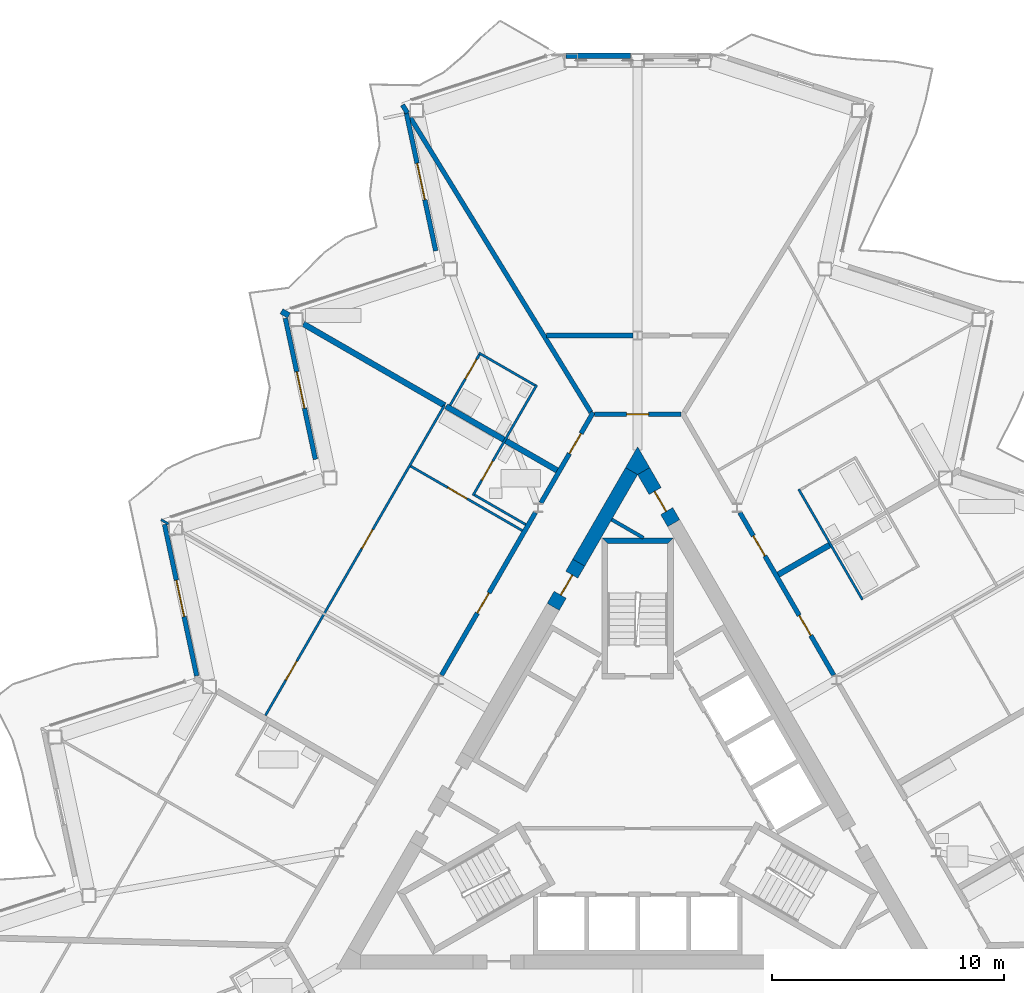
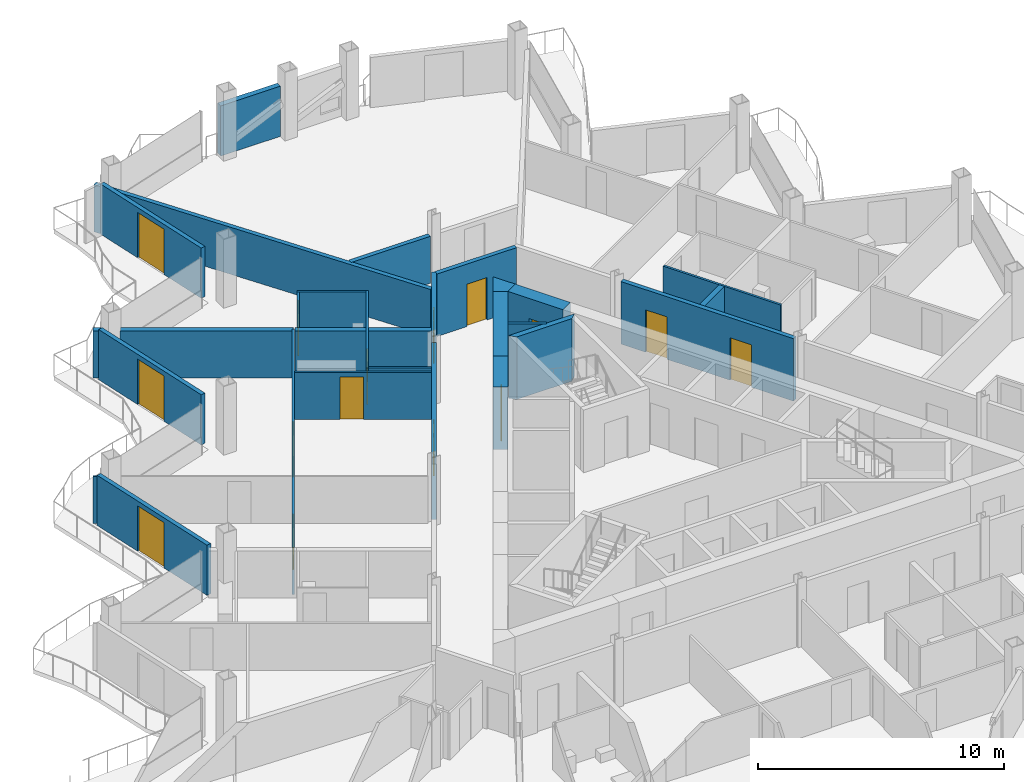
# One storey, part 18 of 28: 29 walls, 15 doors, 15 openings.
"""IFC4 building model written with IfcOpenShell, lengths in metres."""

from ifc_helpers import new_model, si_unit, direction, frame, frame_2d, origin, place, context, subcontext, project, spatial, polyline, rectangle, outline, extrude, material, layer, layer_set, type_object, element, fill, save


model = new_model("IFC4")

# Units and contexts
model_context = context("Model", 3, precision=1e-05, world=origin(), true_north=direction((0.0, 1.0)))
body_context = subcontext(model_context, "Body", "Model", "MODEL_VIEW")
ifc_project = project(units=[si_unit("LENGTHUNIT", "METRE"), si_unit("AREAUNIT", "SQUARE_METRE"), si_unit("VOLUMEUNIT", "CUBIC_METRE"), si_unit("PLANEANGLEUNIT", "RADIAN"), si_unit("MASSUNIT", "GRAM", prefix="KILO")], contexts=[model_context])

# Site, building, storey
site_placement = place(None, origin())
site = spatial("IfcSite", under=ifc_project, at=site_placement, CompositionType="ELEMENT")
building_placement = place(site_placement, origin())
building = spatial("IfcBuilding", under=site, at=building_placement, Name="Cormorant Prow Tower", CompositionType="ELEMENT")
storey_placement = place(building_placement, frame((0.0, 0.0, 301.800048828125)))
storey = spatial("IfcBuildingStorey", under=building, at=storey_placement, Name="L65", CompositionType="ELEMENT", Elevation=301.800048828125)

# Walls
ifc_material_1 = material(Name="Gypsum board partition")
ifc_layer_1 = layer(ifc_material_1, 0.14990234375)
ifc_layer_set_1 = layer_set([ifc_layer_1], Name="Gypsum board partition")
wall_type_1 = type_object("IfcWallType", Name="Core partition 150", PredefinedType="PARTITIONING", material=ifc_layer_set_1)
wall_1_placement = place(storey_placement, frame((-1.119140625, 11.872802734375, 0.0), z_axis=(0.0, 0.0, 1.0), x_axis=(0.865992812752, -0.500056445075, 0.0)))
element("IfcWall", 1, at=wall_1_placement, inside=storey, type_object=wall_type_1, Name="Service room partition", PredefinedType="PARTITIONING", context=body_context, shape_type="SweptSolid", body=[
    extrude(rectangle(XDim=1.581787109375, YDim=0.14990234375, at=frame_2d((0.791015625, 0.0))), origin(), (0.0, 0.0, 1.0), 3.099853515625),
])
ifc_material_2 = material(Name="Concrete 8000 psi", Category="concrete")
ifc_layer_2 = layer(ifc_material_2, 0.60009765625)
ifc_layer_set_2 = layer_set([ifc_layer_2], Name="Concrete 8000 psi")
wall_type_2 = type_object("IfcWallType", Name="Core shear wall 600", PredefinedType="SHEAR", material=ifc_layer_set_2)
wall_2_placement = place(storey_placement, frame((-0.259765625, 13.961181640625, 0.0), z_axis=(0.0, 0.0, 1.0), x_axis=(-0.499980485389, -0.866036670257, 0.0)))
element("IfcWall", 2, at=wall_2_placement, inside=storey, type_object=wall_type_2, Name="Core wall", PredefinedType="SHEAR", context=body_context, shape_type="SweptSolid", body=[
    extrude(rectangle(XDim=4.559326171875, YDim=0.60009765625, at=frame_2d((2.27978515625, 0.0))), origin(), (0.0, 0.0, 1.0), 3.099853515625),
])
wall_3_placement = place(storey_placement, origin())
element("IfcWall", 3, at=wall_3_placement, inside=storey, type_object=wall_type_2, Name="Core wall corner", PredefinedType="SHEAR", context=body_context, shape_type="SweptSolid", body=[
    extrude(outline(polyline([(-0.51953125, 14.111083984375), (0.0, 15.010986328125), (0.51953125, 14.111083984375), (0.0, 13.81103515625), (-0.51953125, 14.111083984375)])), origin(), (0.0, 0.0, 1.0), 3.099853515625),
])

# Wall, opening, door
wall_4_placement = place(storey_placement, frame((-2.539306640625, 10.0126953125, 0.0), z_axis=(0.0, 0.0, 1.0), x_axis=(-0.50002983664, -0.866008176907, 0.0)))
wall_4 = element("IfcWall", 4, at=wall_4_placement, inside=storey, type_object=wall_type_2, Name="Core wall door panel", PredefinedType="SHEAR", context=body_context, shape_type="SweptSolid", body=[
    extrude(rectangle(XDim=2.199951171875, YDim=0.60009765625, at=frame_2d((1.10009765625, 0.0))), origin(), (0.0, 0.0, 1.0), 3.099853515625),
])
opening_1_placement = place(wall_4_placement, frame((0.60009765625, 0.0, 0.0)))
opening_1 = element("IfcOpeningElement", 5, at=opening_1_placement, cuts=wall_4, Name="Opening L65-C19", PredefinedType="OPENING", context=body_context, shape_type="SweptSolid", body=[
    extrude(rectangle(XDim=1.0, YDim=2.10009765625, at=frame_2d((0.5, 1.050048828125))), frame((0.0, 0.31005859375, 0.0), z_axis=(0.0, -1.0, 0.0), x_axis=(1.0, 0.0, 0.0)), (0.0, 0.0, 1.0), 0.6201171875),
])
ifc_material_3 = material(Name="Painted steel", Category="steel")
door_type_1 = type_object("IfcDoorType", Name="Service door 1000x2100", OperationType="NOTDEFINED", PredefinedType="DOOR", material=ifc_material_3)
door_1_placement = place(opening_1_placement, origin())
door_1 = element("IfcDoor", 6, at=door_1_placement, inside=storey, type_object=door_type_1, Name="Core door, Telecom room", OperationType="SINGLE_SWING_LEFT", OverallHeight=2.10009765625, OverallWidth=1.0, PredefinedType="DOOR", context=body_context, shape_type="SweptSolid", body=[
    extrude(rectangle(XDim=1.0, YDim=2.10009765625, at=frame_2d((0.5, 1.050048828125))), frame((0.0, 0.05517578125, 0.0), z_axis=(0.0, -1.0, 0.0), x_axis=(1.0, 0.0, 0.0)), (0.0, 0.0, 1.0), 0.050048828125),
])
fill(opening_1, door_1)

wall_5_placement = place(storey_placement, frame((1.555908203125, 11.71630859375, 0.0), z_axis=(0.0, 0.0, 1.0), x_axis=(-0.500018667571, 0.866014625789, 0.0)))
wall_5 = element("IfcWall", 7, at=wall_5_placement, inside=storey, type_object=wall_type_2, Name="Core wall door panel", PredefinedType="SHEAR", context=body_context, shape_type="SweptSolid", body=[
    extrude(rectangle(XDim=2.59228515625, YDim=0.60009765625, at=frame_2d((1.296142578125, 0.0))), origin(), (0.0, 0.0, 1.0), 3.099853515625),
])
opening_2_placement = place(wall_5_placement, frame((0.60009765625, 0.0, 0.0)))
opening_2 = element("IfcOpeningElement", 8, at=opening_2_placement, cuts=wall_5, Name="Opening L65-C20", PredefinedType="OPENING", context=body_context, shape_type="SweptSolid", body=[
    extrude(rectangle(XDim=1.0, YDim=2.10009765625, at=frame_2d((0.5, 1.050048828125))), frame((0.0, 0.31005859375, 0.0), z_axis=(0.0, -1.0, 0.0), x_axis=(1.0, 0.0, 0.0)), (0.0, 0.0, 1.0), 0.6201171875),
])
door_2_placement = place(opening_2_placement, origin())
door_2 = element("IfcDoor", 9, at=door_2_placement, inside=storey, type_object=door_type_1, Name="Core door, Pantry store", OperationType="SINGLE_SWING_RIGHT", OverallHeight=2.10009765625, OverallWidth=1.0, PredefinedType="DOOR", context=body_context, shape_type="SweptSolid", body=[
    extrude(rectangle(XDim=1.0, YDim=2.10009765625, at=frame_2d((0.5, 1.050048828125))), frame((0.0, 0.05517578125, 0.0), z_axis=(0.0, -1.0, 0.0), x_axis=(1.0, 0.0, 0.0)), (0.0, 0.0, 1.0), 0.050048828125),
])
fill(opening_2, door_2)

# Wall, openings, doors
ifc_material_4 = material(Name="Gypsum board corridor wall")
ifc_layer_3 = layer(ifc_material_4, 0.199951171875)
ifc_layer_set_3 = layer_set([ifc_layer_3], Name="Gypsum board corridor wall")
wall_type_3 = type_object("IfcWallType", Name="Corridor wall 200", PredefinedType="PARTITIONING", material=ifc_layer_set_3)
wall_6_placement = place(storey_placement, frame((4.4091796875, 12.17431640625, 0.0), z_axis=(0.0, 0.0, 1.0), x_axis=(0.499984266882, -0.866034487114, 0.0)))
wall_6 = element("IfcWall", 10, at=wall_6_placement, inside=storey, type_object=wall_type_3, Name="Corridor wall", PredefinedType="PARTITIONING", context=body_context, shape_type="SweptSolid", body=[
    extrude(rectangle(XDim=8.098876953125, YDim=0.199951171875, at=frame_2d((4.04931640625, 0.0))), origin(), (0.0, 0.0, 1.0), 3.099853515625),
])
opening_3_placement = place(wall_6_placement, frame((5.123046875, 0.0, 0.0)))
opening_3 = element("IfcOpeningElement", 11, at=opening_3_placement, cuts=wall_6, Name="Opening L65-F26", PredefinedType="OPENING", context=body_context, shape_type="SweptSolid", body=[
    extrude(rectangle(XDim=1.0, YDim=2.10009765625, at=frame_2d((0.5, 1.050048828125))), frame((0.0, 0.10986328125, 0.0), z_axis=(0.0, -1.0, 0.0), x_axis=(1.0, 0.0, 0.0)), (0.0, 0.0, 1.0), 0.219970703125),
])
opening_4_placement = place(wall_6_placement, frame((1.16357421875, 0.0, 0.0)))
opening_4 = element("IfcOpeningElement", 12, at=opening_4_placement, cuts=wall_6, Name="Opening L65-F31", PredefinedType="OPENING", context=body_context, shape_type="SweptSolid", body=[
    extrude(rectangle(XDim=1.0, YDim=2.10009765625, at=frame_2d((0.5, 1.050048828125))), frame((0.0, 0.10986328125, 0.0), z_axis=(0.0, -1.0, 0.0), x_axis=(1.0, 0.0, 0.0)), (0.0, 0.0, 1.0), 0.219970703125),
])
ifc_material_5 = material(Name="Timber door leaf", Category="wood")
door_type_2 = type_object("IfcDoorType", Name="Flat or room entrance door 1000x2100", OperationType="NOTDEFINED", PredefinedType="DOOR", material=ifc_material_5)
door_3_placement = place(opening_3_placement, origin())
door_3 = element("IfcDoor", 13, at=door_3_placement, inside=storey, type_object=door_type_2, Name="Living room door", OperationType="SINGLE_SWING_RIGHT", OverallHeight=2.10009765625, OverallWidth=1.0, PredefinedType="DOOR", context=body_context, shape_type="SweptSolid", body=[
    extrude(rectangle(XDim=1.0, YDim=2.10009765625, at=frame_2d((0.5, 1.050048828125))), frame((0.0, 0.02490234375, 0.0), z_axis=(0.0, -1.0, 0.0), x_axis=(1.0, 0.0, 0.0)), (0.0, 0.0, 1.0), 0.050048828125),
])
fill(opening_3, door_3)
door_4_placement = place(opening_4_placement, origin())
door_4 = element("IfcDoor", 14, at=door_4_placement, inside=storey, type_object=door_type_2, Name="Living room door", OperationType="SINGLE_SWING_RIGHT", OverallHeight=2.10009765625, OverallWidth=1.0, PredefinedType="DOOR", context=body_context, shape_type="SweptSolid", body=[
    extrude(rectangle(XDim=1.0, YDim=2.10009765625, at=frame_2d((0.5, 1.050048828125))), frame((0.0, 0.02490234375, 0.0), z_axis=(0.0, -1.0, 0.0), x_axis=(1.0, 0.0, 0.0)), (0.0, 0.0, 1.0), 0.050048828125),
])
fill(opening_4, door_4)

# Wall, opening, door
wall_7_placement = place(storey_placement, frame((-8.45849609375, 5.160400390625, 0.0), z_axis=(0.0, 0.0, 1.0), x_axis=(0.499984266882, 0.866034487114, 0.0)))
wall_7 = element("IfcWall", 15, at=wall_7_placement, inside=storey, type_object=wall_type_3, Name="Corridor wall", PredefinedType="PARTITIONING", context=body_context, shape_type="SweptSolid", body=[
    extrude(rectangle(XDim=8.098876953125, YDim=0.199951171875, at=frame_2d((4.04931640625, 0.0))), origin(), (0.0, 0.0, 1.0), 3.099853515625),
])
opening_5_placement = place(wall_7_placement, frame((3.092529296875, 0.0, 0.0)))
opening_5 = element("IfcOpeningElement", 16, at=opening_5_placement, cuts=wall_7, Name="Opening L65-F40", PredefinedType="OPENING", context=body_context, shape_type="SweptSolid", body=[
    extrude(rectangle(XDim=1.0, YDim=2.10009765625, at=frame_2d((0.5, 1.050048828125))), frame((0.0, 0.10986328125, 0.0), z_axis=(0.0, -1.0, 0.0), x_axis=(1.0, 0.0, 0.0)), (0.0, 0.0, 1.0), 0.219970703125),
])
door_5_placement = place(opening_5_placement, origin())
door_5 = element("IfcDoor", 17, at=door_5_placement, inside=storey, type_object=door_type_2, Name="Living room door", OperationType="SINGLE_SWING_LEFT", OverallHeight=2.10009765625, OverallWidth=1.0, PredefinedType="DOOR", context=body_context, shape_type="SweptSolid", body=[
    extrude(rectangle(XDim=1.0, YDim=2.10009765625, at=frame_2d((0.5, 1.050048828125))), frame((0.0, 0.02490234375, 0.0), z_axis=(0.0, -1.0, 0.0), x_axis=(1.0, 0.0, 0.0)), (0.0, 0.0, 1.0), 0.050048828125),
])
fill(opening_5, door_5)

wall_8_placement = place(storey_placement, frame((-4.169189453125, 12.589599609375, 0.0), z_axis=(0.0, 0.0, 1.0), x_axis=(0.499950370306, 0.866054055606, 0.0)))
wall_8 = element("IfcWall", 18, at=wall_8_placement, inside=storey, type_object=wall_type_3, Name="Corridor wall", PredefinedType="PARTITIONING", context=body_context, shape_type="SweptSolid", body=[
    extrude(rectangle(XDim=4.5126953125, YDim=0.199951171875, at=frame_2d((2.25634765625, 0.0))), origin(), (0.0, 0.0, 1.0), 3.099853515625),
])
opening_6_placement = place(wall_8_placement, frame((2.459228515625, 0.0, 0.0)))
opening_6 = element("IfcOpeningElement", 19, at=opening_6_placement, cuts=wall_8, Name="Opening L65-F38", PredefinedType="OPENING", context=body_context, shape_type="SweptSolid", body=[
    extrude(rectangle(XDim=1.0, YDim=2.10009765625, at=frame_2d((0.5, 1.050048828125))), frame((0.0, 0.10986328125, 0.0), z_axis=(0.0, -1.0, 0.0), x_axis=(1.0, 0.0, 0.0)), (0.0, 0.0, 1.0), 0.219970703125),
])
door_6_placement = place(opening_6_placement, origin())
door_6 = element("IfcDoor", 20, at=door_6_placement, inside=storey, type_object=door_type_2, Name="Studio living, kitchen and sleeping room door", OperationType="SINGLE_SWING_LEFT", OverallHeight=2.10009765625, OverallWidth=1.0, PredefinedType="DOOR", context=body_context, shape_type="SweptSolid", body=[
    extrude(rectangle(XDim=1.0, YDim=2.10009765625, at=frame_2d((0.5, 1.050048828125))), frame((0.0, 0.02490234375, 0.0), z_axis=(0.0, -1.0, 0.0), x_axis=(1.0, 0.0, 0.0)), (0.0, 0.0, 1.0), 0.050048828125),
])
fill(opening_6, door_6)

wall_9_placement = place(storey_placement, frame((-1.863037109375, 16.4111328125, 0.0), z_axis=(0.0, 0.0, 1.0), x_axis=(1.0, 0.0, 0.0)))
wall_9 = element("IfcWall", 21, at=wall_9_placement, inside=storey, type_object=wall_type_3, Name="Corridor wall", PredefinedType="PARTITIONING", context=body_context, shape_type="SweptSolid", body=[
    extrude(rectangle(XDim=3.72607421875, YDim=0.199951171875, at=frame_2d((1.863037109375, 0.0))), origin(), (0.0, 0.0, 1.0), 3.099853515625),
])
opening_7_placement = place(wall_9_placement, frame((1.387939453125, 0.0, 0.0)))
opening_7 = element("IfcOpeningElement", 22, at=opening_7_placement, cuts=wall_9, Name="Opening L65-F36", PredefinedType="OPENING", context=body_context, shape_type="SweptSolid", body=[
    extrude(rectangle(XDim=0.949951171875, YDim=2.10009765625, at=frame_2d((0.47509765625, 1.050048828125))), frame((0.0, 0.10986328125, 0.0), z_axis=(0.0, -1.0, 0.0), x_axis=(1.0, 0.0, 0.0)), (0.0, 0.0, 1.0), 0.219970703125),
])
ifc_material_6 = material(Name="Timber door leaf", Category="wood")
door_type_3 = type_object("IfcDoorType", Name="Store door 950x2100", OperationType="NOTDEFINED", PredefinedType="DOOR", material=ifc_material_6)
door_7_placement = place(opening_7_placement, origin())
door_7 = element("IfcDoor", 23, at=door_7_placement, inside=storey, type_object=door_type_3, Name="Bicycle store door", OperationType="SINGLE_SWING_LEFT", OverallHeight=2.10009765625, OverallWidth=0.949951171875, PredefinedType="DOOR", context=body_context, shape_type="SweptSolid", body=[
    extrude(rectangle(XDim=0.949951171875, YDim=2.10009765625, at=frame_2d((0.47509765625, 1.050048828125))), frame((0.0, 0.02490234375, 0.0), z_axis=(0.0, -1.0, 0.0), x_axis=(1.0, 0.0, 0.0)), (0.0, 0.0, 1.0), 0.050048828125),
])
fill(opening_7, door_7)

# Walls
ifc_material_7 = material(Name="Gypsum board demising wall")
ifc_layer_4 = layer(ifc_material_7, 0.199951171875)
ifc_layer_set_4 = layer_set([ifc_layer_4], Name="Gypsum board demising wall")
wall_type_4 = type_object("IfcWallType", Name="Demising wall 200", PredefinedType="PARTITIONING", material=ifc_layer_set_4)
wall_10_placement = place(storey_placement, frame((-9.802490234375, 29.2041015625, 0.0), z_axis=(0.0, 0.0, 1.0), x_axis=(0.522487920222, -0.852646687217, 0.0)))
element("IfcWall", 24, at=wall_10_placement, inside=storey, type_object=wall_type_4, Name="Demising wall", PredefinedType="PARTITIONING", context=body_context, shape_type="SweptSolid", body=[
    extrude(rectangle(XDim=14.90380859375, YDim=0.199951171875, at=frame_2d((7.451904296875, 0.0))), origin(), (0.0, 0.0, 1.0), 2.330078125),
])
wall_11_placement = place(storey_placement, frame((-3.926025390625, 19.81103515625, 0.0), z_axis=(0.0, 0.0, 1.0), x_axis=(1.0, 0.0, 0.0)))
element("IfcWall", 25, at=wall_11_placement, inside=storey, type_object=wall_type_4, Name="Demising wall", PredefinedType="PARTITIONING", context=body_context, shape_type="SweptSolid", body=[
    extrude(rectangle(XDim=3.71826171875, YDim=0.199951171875, at=frame_2d((1.859130859375, 0.0))), origin(), (0.0, 0.0, 1.0), 2.330078125),
])
wall_12_placement = place(storey_placement, frame((-10.13916015625, 29.75390625, 0.0), z_axis=(0.0, 0.0, 1.0), x_axis=(0.522224976177, -0.852807759262, 0.0)))
element("IfcWall", 26, at=wall_12_placement, inside=storey, type_object=wall_type_4, Name="Demising wall", PredefinedType="PARTITIONING", context=body_context, shape_type="SweptSolid", body=[
    extrude(rectangle(XDim=0.40771484375, YDim=0.199951171875, at=frame_2d((0.203857421875, 0.0))), origin(), (0.0, 0.0, 1.0), 2.330078125),
])

# Wall, openings, doors
ifc_material_8 = material(Name="Gypsum board partition")
ifc_layer_5 = layer(ifc_material_8, 0.10009765625)
ifc_layer_set_5 = layer_set([ifc_layer_5], Name="Gypsum board partition")
wall_type_5 = type_object("IfcWallType", Name="Internal partition 100", PredefinedType="PARTITIONING", material=ifc_layer_set_5)
wall_13_placement = place(storey_placement, frame((-16.053955078125, 3.419189453125, 0.0), z_axis=(0.0, 0.0, 1.0), x_axis=(0.499999256795, 0.866025832873, 0.0)))
wall_13 = element("IfcWall", 27, at=wall_13_placement, inside=storey, type_object=wall_type_5, Name="Internal partition", PredefinedType="PARTITIONING", context=body_context, shape_type="SweptSolid", body=[
    extrude(rectangle(XDim=15.44775390625, YDim=0.10009765625, at=frame_2d((7.723876953125, 0.0))), origin(), (0.0, 0.0, 1.0), 2.330078125),
])
opening_8_placement = place(wall_13_placement, frame((8.306396484375, 0.0, 0.0)))
opening_8 = element("IfcOpeningElement", 28, at=opening_8_placement, cuts=wall_13, Name="Opening L65-F42", PredefinedType="OPENING", context=body_context, shape_type="SweptSolid", body=[
    extrude(rectangle(XDim=0.949951171875, YDim=2.10009765625, at=frame_2d((0.47509765625, 1.050048828125))), frame((0.0, 0.06005859375, 0.0), z_axis=(0.0, -1.0, 0.0), x_axis=(1.0, 0.0, 0.0)), (0.0, 0.0, 1.0), 0.1201171875),
])
opening_9_placement = place(wall_13_placement, frame((1.760498046875, 0.0, 0.0)))
opening_9 = element("IfcOpeningElement", 29, at=opening_9_placement, cuts=wall_13, Name="Opening L65-F44", PredefinedType="OPENING", context=body_context, shape_type="SweptSolid", body=[
    extrude(rectangle(XDim=0.949951171875, YDim=2.10009765625, at=frame_2d((0.47509765625, 1.050048828125))), frame((0.0, 0.06005859375, 0.0), z_axis=(0.0, -1.0, 0.0), x_axis=(1.0, 0.0, 0.0)), (0.0, 0.0, 1.0), 0.1201171875),
])
ifc_material_9 = material(Name="Timber door leaf", Category="wood")
door_type_4 = type_object("IfcDoorType", Name="Bathroom door 950x2100", OperationType="NOTDEFINED", PredefinedType="DOOR", material=ifc_material_9)
door_8_placement = place(opening_8_placement, origin())
door_8 = element("IfcDoor", 30, at=door_8_placement, inside=storey, type_object=door_type_4, Name="Living room door", OperationType="SINGLE_SWING_LEFT", OverallHeight=2.10009765625, OverallWidth=0.949951171875, PredefinedType="DOOR", context=body_context, shape_type="SweptSolid", body=[
    extrude(rectangle(XDim=0.949951171875, YDim=2.10009765625, at=frame_2d((0.47509765625, 1.050048828125))), frame((0.0, 0.02490234375, 0.0), z_axis=(0.0, -1.0, 0.0), x_axis=(1.0, 0.0, 0.0)), (0.0, 0.0, 1.0), 0.050048828125),
])
fill(opening_8, door_8)
door_9_placement = place(opening_9_placement, origin())
door_9 = element("IfcDoor", 31, at=door_9_placement, inside=storey, type_object=door_type_4, Name="Bedroom door", OperationType="SINGLE_SWING_RIGHT", OverallHeight=2.10009765625, OverallWidth=0.949951171875, PredefinedType="DOOR", context=body_context, shape_type="SweptSolid", body=[
    extrude(rectangle(XDim=0.949951171875, YDim=2.10009765625, at=frame_2d((0.47509765625, 1.050048828125))), frame((0.0, 0.02490234375, 0.0), z_axis=(0.0, -1.0, 0.0), x_axis=(1.0, 0.0, 0.0)), (0.0, 0.0, 1.0), 0.050048828125),
])
fill(opening_9, door_9)

# Wall, opening, door
wall_14_placement = place(storey_placement, frame((-9.786865234375, 14.17431640625, 0.0), z_axis=(0.0, 0.0, 1.0), x_axis=(0.866031222068, -0.499989922303, 0.0)))
wall_14 = element("IfcWall", 32, at=wall_14_placement, inside=storey, type_object=wall_type_5, Name="Internal partition", PredefinedType="PARTITIONING", context=body_context, shape_type="SweptSolid", body=[
    extrude(rectangle(XDim=5.55712890625, YDim=0.10009765625, at=frame_2d((2.778564453125, 0.0))), origin(), (0.0, 0.0, 1.0), 2.330078125),
])
opening_10_placement = place(wall_14_placement, frame((1.852783203125, 0.0, 0.0)))
opening_10 = element("IfcOpeningElement", 33, at=opening_10_placement, cuts=wall_14, Name="Opening L65-F41", PredefinedType="OPENING", context=body_context, shape_type="SweptSolid", body=[
    extrude(rectangle(XDim=0.949951171875, YDim=2.10009765625, at=frame_2d((0.47509765625, 1.050048828125))), frame((0.0, 0.06005859375, 0.0), z_axis=(0.0, -1.0, 0.0), x_axis=(1.0, 0.0, 0.0)), (0.0, 0.0, 1.0), 0.1201171875),
])
door_10_placement = place(opening_10_placement, origin())
door_10 = element("IfcDoor", 34, at=door_10_placement, inside=storey, type_object=door_type_4, Name="Living room door", OperationType="SINGLE_SWING_RIGHT", OverallHeight=2.10009765625, OverallWidth=0.949951171875, PredefinedType="DOOR", context=body_context, shape_type="SweptSolid", body=[
    extrude(rectangle(XDim=0.949951171875, YDim=2.10009765625, at=frame_2d((0.47509765625, 1.050048828125))), frame((0.0, 0.02490234375, 0.0), z_axis=(0.0, -1.0, 0.0), x_axis=(1.0, 0.0, 0.0)), (0.0, 0.0, 1.0), 0.050048828125),
])
fill(opening_10, door_10)

wall_15_placement = place(storey_placement, frame((-7.100830078125, 12.912109375, 0.0), z_axis=(0.0, 0.0, 1.0), x_axis=(0.499996545922, 0.866027397988, 0.0)))
wall_15 = element("IfcWall", 35, at=wall_15_placement, inside=storey, type_object=wall_type_5, Name="Internal partition", PredefinedType="PARTITIONING", context=body_context, shape_type="SweptSolid", body=[
    extrude(rectangle(XDim=5.5, YDim=0.10009765625, at=frame_2d((2.75, 0.0))), origin(), (0.0, 0.0, 1.0), 2.330078125),
])
opening_11_placement = place(wall_15_placement, frame((0.75634765625, 0.0, 0.0)))
opening_11 = element("IfcOpeningElement", 36, at=opening_11_placement, cuts=wall_15, Name="Opening L65-F45", PredefinedType="OPENING", context=body_context, shape_type="SweptSolid", body=[
    extrude(rectangle(XDim=0.949951171875, YDim=2.10009765625, at=frame_2d((0.47509765625, 1.050048828125))), frame((0.0, 0.06005859375, 0.0), z_axis=(0.0, -1.0, 0.0), x_axis=(1.0, 0.0, 0.0)), (0.0, 0.0, 1.0), 0.1201171875),
])
door_11_placement = place(opening_11_placement, origin())
door_11 = element("IfcDoor", 37, at=door_11_placement, inside=storey, type_object=door_type_4, Name="Kitchen door", OperationType="SINGLE_SWING_LEFT", OverallHeight=2.10009765625, OverallWidth=0.949951171875, PredefinedType="DOOR", context=body_context, shape_type="SweptSolid", body=[
    extrude(rectangle(XDim=0.949951171875, YDim=2.10009765625, at=frame_2d((0.47509765625, 1.050048828125))), frame((0.0, 0.02490234375, 0.0), z_axis=(0.0, -1.0, 0.0), x_axis=(1.0, 0.0, 0.0)), (0.0, 0.0, 1.0), 0.050048828125),
])
fill(opening_11, door_11)

# Walls
wall_16_placement = place(storey_placement, frame((6.9462890625, 13.1796875, 0.0), z_axis=(0.0, 0.0, 1.0), x_axis=(0.500015767406, -0.866016300277, 0.0)))
element("IfcWall", 38, at=wall_16_placement, inside=storey, type_object=wall_type_5, Name="Internal partition", PredefinedType="PARTITIONING", context=body_context, shape_type="SweptSolid", body=[
    extrude(rectangle(XDim=5.499755859375, YDim=0.10009765625, at=frame_2d((2.75, 0.0))), origin(), (0.0, 0.0, 1.0), 2.330078125),
])
wall_17_placement = place(storey_placement, frame((-6.843994140625, 19.056884765625, 0.0), z_axis=(0.0, 0.0, 1.0), x_axis=(0.866034573852, -0.49998411664, 0.0)))
element("IfcWall", 39, at=wall_17_placement, inside=storey, type_object=wall_type_5, Name="Internal partition", PredefinedType="PARTITIONING", context=body_context, shape_type="SweptSolid", body=[
    extrude(rectangle(XDim=2.7998046875, YDim=0.10009765625, at=frame_2d((1.39990234375, 0.0))), origin(), (0.0, 0.0, 1.0), 2.330078125),
])
wall_18_placement = place(storey_placement, frame((-7.032470703125, 12.930419921875, 0.0), z_axis=(0.0, 0.0, 1.0), x_axis=(0.866030925526, -0.499990435942, 0.0)))
element("IfcWall", 40, at=wall_18_placement, inside=storey, type_object=wall_type_5, Name="Internal partition", PredefinedType="PARTITIONING", context=body_context, shape_type="SweptSolid", body=[
    extrude(rectangle(XDim=2.5498046875, YDim=0.10009765625, at=frame_2d((1.27490234375, 0.0))), origin(), (0.0, 0.0, 1.0), 2.330078125),
])

# Wall, opening, door
wall_19_placement = place(storey_placement, frame((-8.088134765625, 16.802001953125, 0.0), z_axis=(0.0, 0.0, 1.0), x_axis=(0.499976333282, 0.866039067339, 0.0)))
wall_19 = element("IfcWall", 41, at=wall_19_placement, inside=storey, type_object=wall_type_5, Name="Internal partition", PredefinedType="PARTITIONING", context=body_context, shape_type="SweptSolid", body=[
    extrude(rectangle(XDim=2.52490234375, YDim=0.10009765625, at=frame_2d((1.262451171875, 0.0))), origin(), (0.0, 0.0, 1.0), 2.330078125),
])
opening_12_placement = place(wall_19_placement, frame((1.324951171875, 0.0, 0.0)))
opening_12 = element("IfcOpeningElement", 42, at=opening_12_placement, cuts=wall_19, Name="Opening L65-F39", PredefinedType="OPENING", context=body_context, shape_type="SweptSolid", body=[
    extrude(rectangle(XDim=0.949951171875, YDim=2.10009765625, at=frame_2d((0.47509765625, 1.050048828125))), frame((0.0, 0.06005859375, 0.0), z_axis=(0.0, -1.0, 0.0), x_axis=(1.0, 0.0, 0.0)), (0.0, 0.0, 1.0), 0.1201171875),
])
door_12_placement = place(opening_12_placement, origin())
door_12 = element("IfcDoor", 43, at=door_12_placement, inside=storey, type_object=door_type_4, Name="Studio living, kitchen and sleeping room door", OperationType="SINGLE_SWING_RIGHT", OverallHeight=2.10009765625, OverallWidth=0.949951171875, PredefinedType="DOOR", context=body_context, shape_type="SweptSolid", body=[
    extrude(rectangle(XDim=0.949951171875, YDim=2.10009765625, at=frame_2d((0.47509765625, 1.050048828125))), frame((0.0, 0.02490234375, 0.0), z_axis=(0.0, -1.0, 0.0), x_axis=(1.0, 0.0, 0.0)), (0.0, 0.0, 1.0), 0.050048828125),
])
fill(opening_12, door_12)

# Walls
wall_20_placement = place(storey_placement, frame((-20.5498046875, 11.864501953125, 0.0), z_axis=(0.0, 0.0, 1.0), x_axis=(0.866039913117, -0.499974868256, 0.0)))
element("IfcWall", 44, at=wall_20_placement, inside=storey, type_object=wall_type_5, Name="Internal partition", PredefinedType="PARTITIONING", context=body_context, shape_type="SweptSolid", body=[
    extrude(rectangle(XDim=0.36279296875, YDim=0.10009765625, at=frame_2d((0.181396484375, 0.0))), origin(), (0.0, 0.0, 1.0), 2.330078125),
])
ifc_material_10 = material(Name="Concrete 8000 psi", Category="concrete")
ifc_layer_6 = layer(ifc_material_10, 0.25)
ifc_layer_set_6 = layer_set([ifc_layer_6], Name="Concrete 8000 psi")
wall_type_6 = type_object("IfcWallType", Name="Stair wall 250", PredefinedType="SHEAR", material=ifc_layer_set_6)
wall_21_placement = place(storey_placement, origin())
element("IfcWall", 45, at=wall_21_placement, inside=storey, type_object=wall_type_6, Name="Stair ST3 enclosure wall (end)", PredefinedType="SHEAR", context=body_context, shape_type="SweptSolid", body=[
    extrude(outline(polyline([(1.5439453125, 11.0869140625), (-1.5439453125, 11.0869140625), (-1.2939453125, 10.8369140625), (1.2939453125, 10.8369140625), (1.5439453125, 11.0869140625)])), origin(), (0.0, 0.0, 1.0), 3.099853515625),
])
ifc_material_11 = material(Name="Acoustic gypsum party wall")
ifc_layer_7 = layer(ifc_material_11, 0.25)
ifc_layer_set_7 = layer_set([ifc_layer_7], Name="Acoustic gypsum party wall")
wall_type_7 = type_object("IfcWallType", Name="Suite party wall 250", PredefinedType="PARTITIONING", material=ifc_layer_set_7)
wall_22_placement = place(storey_placement, frame((-14.41650390625, 20.311279296875, 0.0), z_axis=(0.0, 0.0, 1.0), x_axis=(0.866027308682, -0.499996700606, 0.0)))
element("IfcWall", 46, at=wall_22_placement, inside=storey, type_object=wall_type_7, Name="Suite party wall", PredefinedType="PARTITIONING", context=body_context, shape_type="SweptSolid", body=[
    extrude(rectangle(XDim=7.0380859375, YDim=0.25, at=frame_2d((3.51904296875, 0.0))), origin(), (0.0, 0.0, 1.0), 2.330078125),
])
wall_23_placement = place(storey_placement, frame((-8.2587890625, 16.75634765625, 0.0), z_axis=(0.0, 0.0, 1.0), x_axis=(0.866023692682, -0.500002963705, 0.0)))
element("IfcWall", 47, at=wall_23_placement, inside=storey, type_object=wall_type_7, Name="Suite party wall", PredefinedType="PARTITIONING", context=body_context, shape_type="SweptSolid", body=[
    extrude(rectangle(XDim=5.52490234375, YDim=0.25, at=frame_2d((2.762451171875, 0.0))), origin(), (0.0, 0.0, 1.0), 2.330078125),
])
wall_24_placement = place(storey_placement, frame((6.069580078125, 9.498291015625, 0.0), z_axis=(0.0, 0.0, 1.0), x_axis=(0.866054858364, 0.499948979701, 0.0)))
element("IfcWall", 48, at=wall_24_placement, inside=storey, type_object=wall_type_7, Name="Suite party wall", PredefinedType="PARTITIONING", context=body_context, shape_type="SweptSolid", body=[
    extrude(rectangle(XDim=2.550048828125, YDim=0.25, at=frame_2d((1.27490234375, 0.0))), origin(), (0.0, 0.0, 1.0), 2.330078125),
])
wall_25_placement = place(storey_placement, frame((-15.35888671875, 20.85546875, 0.0), z_axis=(0.0, 0.0, 1.0), x_axis=(0.865770353626, -0.500441499861, 0.0)))
element("IfcWall", 49, at=wall_25_placement, inside=storey, type_object=wall_type_7, Name="Suite party wall", PredefinedType="PARTITIONING", context=body_context, shape_type="SweptSolid", body=[
    extrude(rectangle(XDim=0.372314453125, YDim=0.25, at=frame_2d((0.18603515625, 0.0))), origin(), (0.0, 0.0, 1.0), 2.330078125),
])
ifc_material_12 = material(Name="Terracotta", Category="masonry")
ifc_layer_8 = layer(ifc_material_12, 0.25)
ifc_layer_set_8 = layer_set([ifc_layer_8], Name="Terracotta")
wall_type_8 = type_object("IfcWallType", Name="Terracotta bay wall 250", PredefinedType="SOLIDWALL", material=ifc_layer_set_8)
wall_26_placement = place(storey_placement, frame((-0.300048828125, 31.8798828125, 0.0), z_axis=(0.0, 0.0, 1.0), x_axis=(-1.0, 0.0, 0.0)))
element("IfcWall", 50, at=wall_26_placement, inside=storey, type_object=wall_type_8, Name="Terracotta bay wall N01", PredefinedType="SOLIDWALL", context=body_context, shape_type="SweptSolid", body=[
    extrude(rectangle(XDim=2.790771484375, YDim=0.25, at=frame_2d((1.3955078125, 0.0))), origin(), (0.0, 0.0, 1.0), 2.48779296875),
])

# Wall, opening, door
ifc_material_13 = material(Name="Terracotta", Category="masonry")
ifc_layer_9 = layer(ifc_material_13, 0.199951171875)
ifc_layer_set_9 = layer_set([ifc_layer_9], Name="Terracotta")
wall_type_9 = type_object("IfcWallType", Name="Terracotta jamb wall 200", PredefinedType="SOLIDWALL", material=ifc_layer_set_9)
wall_27_placement = place(storey_placement, frame((-9.97998046875, 29.442626953125, 0.0), z_axis=(0.0, 0.0, 1.0), x_axis=(0.20793703803, -0.978142212674, 0.0)))
wall_27 = element("IfcWall", 51, at=wall_27_placement, inside=storey, type_object=wall_type_9, Name="Terracotta jamb wall WNW01", PredefinedType="SOLIDWALL", context=body_context, shape_type="SweptSolid", body=[
    extrude(rectangle(XDim=6.1171875, YDim=0.199951171875, at=frame_2d((3.05859375, 0.0))), origin(), (0.0, 0.0, 1.0), 2.48779296875),
])
opening_13_placement = place(wall_27_placement, frame((2.258544921875, 0.0, 0.0)))
opening_13 = element("IfcOpeningElement", 52, at=opening_13_placement, cuts=wall_27, Name="Opening ED65.11", PredefinedType="OPENING", context=body_context, shape_type="SweptSolid", body=[
    extrude(rectangle(XDim=1.60009765625, YDim=2.25, at=frame_2d((0.800048828125, 1.125))), frame((0.0, 0.10986328125, 0.0), z_axis=(0.0, -1.0, 0.0), x_axis=(1.0, 0.0, 0.0)), (0.0, 0.0, 1.0), 0.219970703125),
])
ifc_material_14 = material(Name="Aluminium 6063-T6", Category="aluminium")
door_type_5 = type_object("IfcDoorType", Name="Balcony door 1600x2250", OperationType="DOUBLE_DOOR_SINGLE_SWING", PredefinedType="DOOR", material=ifc_material_14)
door_13_placement = place(opening_13_placement, origin())
door_13 = element("IfcDoor", 53, at=door_13_placement, inside=storey, type_object=door_type_5, Name="Balcony door WNW01 ED65.11", OperationType="DOUBLE_DOOR_SINGLE_SWING", OverallHeight=2.25, OverallWidth=1.60009765625, PredefinedType="DOOR", context=body_context, shape_type="SweptSolid", body=[
    extrude(rectangle(XDim=1.60009765625, YDim=2.25, at=frame_2d((0.800048828125, 1.125))), frame((0.0, 0.02490234375, 0.0), z_axis=(0.0, -1.0, 0.0), x_axis=(1.0, 0.0, 0.0)), (0.0, 0.0, 1.0), 0.050048828125),
])
fill(opening_13, door_13)

wall_28_placement = place(storey_placement, frame((-15.1923828125, 20.55322265625, 0.0), z_axis=(0.0, 0.0, 1.0), x_axis=(0.207920712138, -0.97814568315, 0.0)))
wall_28 = element("IfcWall", 54, at=wall_28_placement, inside=storey, type_object=wall_type_9, Name="Terracotta jamb wall WNW03", PredefinedType="SOLIDWALL", context=body_context, shape_type="SweptSolid", body=[
    extrude(rectangle(XDim=6.220947265625, YDim=0.199951171875, at=frame_2d((3.1103515625, 0.0))), origin(), (0.0, 0.0, 1.0), 2.48779296875),
])
opening_14_placement = place(wall_28_placement, frame((2.3623046875, 0.0, 0.0)))
opening_14 = element("IfcOpeningElement", 55, at=opening_14_placement, cuts=wall_28, Name="Opening ED65.12", PredefinedType="OPENING", context=body_context, shape_type="SweptSolid", body=[
    extrude(rectangle(XDim=1.60009765625, YDim=2.25, at=frame_2d((0.800048828125, 1.125))), frame((0.0, 0.10986328125, 0.0), z_axis=(0.0, -1.0, 0.0), x_axis=(1.0, 0.0, 0.0)), (0.0, 0.0, 1.0), 0.219970703125),
])
door_14_placement = place(opening_14_placement, origin())
door_14 = element("IfcDoor", 56, at=door_14_placement, inside=storey, type_object=door_type_5, Name="Balcony door WNW03 ED65.12", OperationType="DOUBLE_DOOR_SINGLE_SWING", OverallHeight=2.25, OverallWidth=1.60009765625, PredefinedType="DOOR", context=body_context, shape_type="SweptSolid", body=[
    extrude(rectangle(XDim=1.60009765625, YDim=2.25, at=frame_2d((0.800048828125, 1.125))), frame((0.0, 0.02490234375, 0.0), z_axis=(0.0, -1.0, 0.0), x_axis=(1.0, 0.0, 0.0)), (0.0, 0.0, 1.0), 0.050048828125),
])
fill(opening_14, door_14)

wall_29_placement = place(storey_placement, frame((-20.404296875, 11.660888671875, 0.0), z_axis=(0.0, 0.0, 1.0), x_axis=(0.207893301034, -0.978151509422, 0.0)))
wall_29 = element("IfcWall", 57, at=wall_29_placement, inside=storey, type_object=wall_type_9, Name="Terracotta jamb wall WNW05", PredefinedType="SOLIDWALL", context=body_context, shape_type="SweptSolid", body=[
    extrude(rectangle(XDim=6.677490234375, YDim=0.199951171875, at=frame_2d((3.3388671875, 0.0))), origin(), (0.0, 0.0, 1.0), 2.48779296875),
])
opening_15_placement = place(wall_29_placement, frame((2.463134765625, 0.0, 0.0)))
opening_15 = element("IfcOpeningElement", 58, at=opening_15_placement, cuts=wall_29, Name="Opening ED65.13", PredefinedType="OPENING", context=body_context, shape_type="SweptSolid", body=[
    extrude(rectangle(XDim=1.60009765625, YDim=2.25, at=frame_2d((0.800048828125, 1.125))), frame((0.0, 0.10986328125, 0.0), z_axis=(0.0, -1.0, 0.0), x_axis=(1.0, 0.0, 0.0)), (0.0, 0.0, 1.0), 0.219970703125),
])
door_15_placement = place(opening_15_placement, origin())
door_15 = element("IfcDoor", 59, at=door_15_placement, inside=storey, type_object=door_type_5, Name="Balcony door WNW05 ED65.13", OperationType="DOUBLE_DOOR_SINGLE_SWING", OverallHeight=2.25, OverallWidth=1.60009765625, PredefinedType="DOOR", context=body_context, shape_type="SweptSolid", body=[
    extrude(rectangle(XDim=1.60009765625, YDim=2.25, at=frame_2d((0.800048828125, 1.125))), frame((0.0, 0.02490234375, 0.0), z_axis=(0.0, -1.0, 0.0), x_axis=(1.0, 0.0, 0.0)), (0.0, 0.0, 1.0), 0.050048828125),
])
fill(opening_15, door_15)

save(model, "model.ifc")
